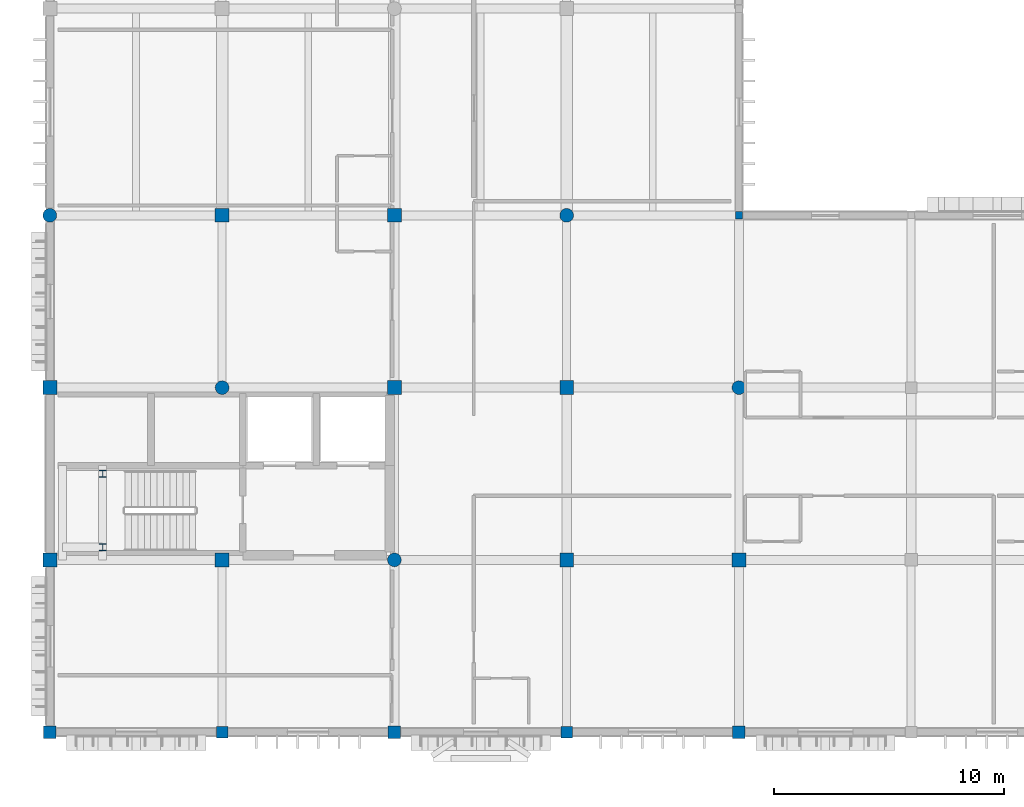
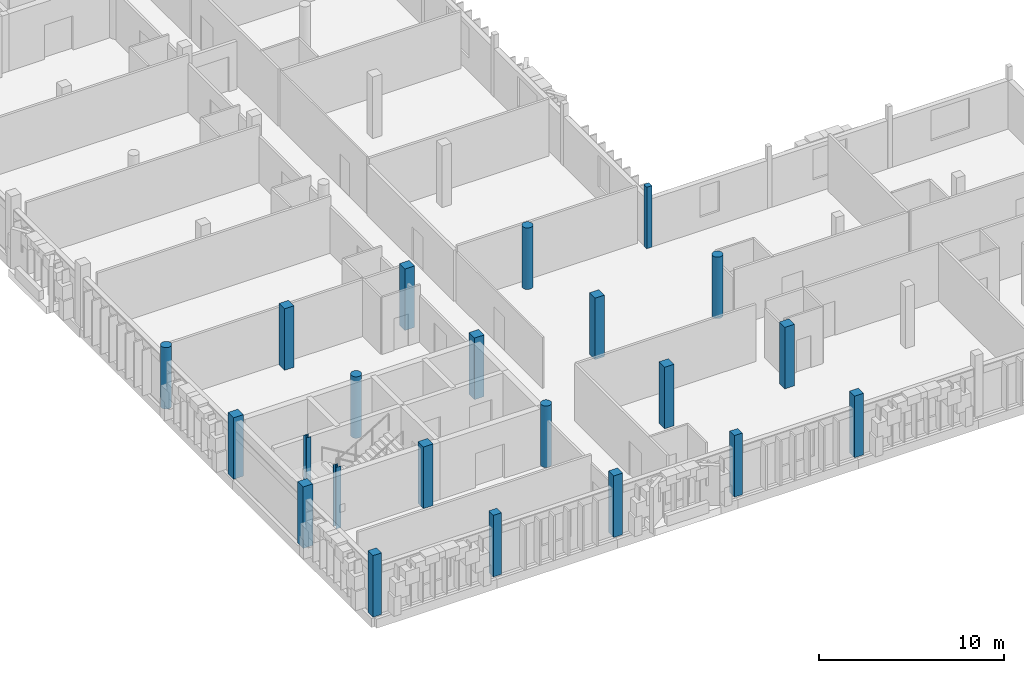
# One storey, part 1 of 33: 22 columns.
"""IFC4 building model written with IfcOpenShell, lengths in metres."""

from ifc_helpers import new_model, si_unit, direction, frame, origin, origin_2d, place, context, subcontext, project, spatial, rectangle, circle, i_section, extrude, material, material_profile, profile_set, type_object, element, save


model = new_model("IFC4")

# Units and contexts
model_context = context("Model", 3, precision=1e-05, world=origin(), true_north=direction((0.0, 1.0)))
body_context = subcontext(model_context, "Body", "Model", "MODEL_VIEW")
ifc_project = project(units=[si_unit("LENGTHUNIT", "METRE"), si_unit("AREAUNIT", "SQUARE_METRE"), si_unit("VOLUMEUNIT", "CUBIC_METRE"), si_unit("PLANEANGLEUNIT", "RADIAN"), si_unit("MASSUNIT", "GRAM", prefix="KILO")], contexts=[model_context])

# Site, building, storey
site_placement = place(None, origin())
site = spatial("IfcSite", under=ifc_project, at=site_placement, CompositionType="ELEMENT")
building_placement = place(site_placement, origin())
building = spatial("IfcBuilding", under=site, at=building_placement, Name="Dalvernix Boulevard General Hospital", CompositionType="ELEMENT")
storey_placement = place(building_placement, frame((0.0, 0.0, 21.89990234375)))
storey = spatial("IfcBuildingStorey", under=building, at=storey_placement, Name="L05", CompositionType="ELEMENT", Elevation=21.89990234375)

# Columns
ifc_material_1 = material(Name="Concrete C40/50", Category="concrete")
ifc_material_profile_1 = material_profile(ifc_material_1, rectangle(XDim=0.60009765625, YDim=0.60009765625, at=origin_2d()), Name="RC 600x600")
ifc_profile_set_1 = profile_set([ifc_material_profile_1], Name="Concrete C40/50")
column_type_1 = type_object("IfcColumnType", Name="COL-C-07-E", PredefinedType="COLUMN", material=ifc_profile_set_1)
for number, where, z_axis, x_axis, name in (
    (1, (0.0, 7.5, 0.0), (0.0, 0.0, 1.0), (1.0, 0.0, 0.0), "L05 column 1B"),
    (2, (0.0, 15.0, 0.0), (0.0, 0.0, 1.0), (1.0, 0.0, 0.0), "L05 column 1C"),
):
    element("IfcColumn", number, at=place(storey_placement, frame(where, z_axis=z_axis, x_axis=x_axis)), inside=storey, type_object=column_type_1, Name=name, PredefinedType="COLUMN", context=body_context, shape_type="SweptSolid", body=[
        extrude(rectangle(XDim=0.60009765625, YDim=0.60009765625, at=origin_2d()), origin(), (0.0, 0.0, 1.0), 4.050048828125),
    ])
ifc_material_profile_2 = material_profile(ifc_material_1, rectangle(XDim=0.60009765625, YDim=0.60009765625, at=origin_2d()), Name="RC 600x600")
ifc_profile_set_2 = profile_set([ifc_material_profile_2], Name="Concrete C40/50")
column_type_2 = type_object("IfcColumnType", Name="COL-C-07-I", PredefinedType="COLUMN", material=ifc_profile_set_2)
for number, where, z_axis, x_axis, name in (
    (3, (7.5, 7.5, 0.0), (0.0, 0.0, 1.0), (1.0, 0.0, 0.0), "L05 column 2B"),
    (4, (7.5, 22.5, 0.0), (0.0, 0.0, 1.0), (1.0, 0.0, 0.0), "L05 column 2D"),
    (5, (15.0, 15.0, 0.0), (0.0, 0.0, 1.0), (1.0, 0.0, 0.0), "L05 column 3C"),
    (6, (15.0, 22.5, 0.0), (0.0, 0.0, 1.0), (1.0, 0.0, 0.0), "L05 column 3D"),
    (7, (22.5, 7.5, 0.0), (0.0, 0.0, 1.0), (1.0, 0.0, 0.0), "L05 column 4B"),
    (8, (22.5, 15.0, 0.0), (0.0, 0.0, 1.0), (1.0, 0.0, 0.0), "L05 column 4C"),
    (9, (30.0, 7.5, 0.0), (0.0, 0.0, 1.0), (1.0, 0.0, 0.0), "L05 column 5B"),
):
    element("IfcColumn", number, at=place(storey_placement, frame(where, z_axis=z_axis, x_axis=x_axis)), inside=storey, type_object=column_type_2, Name=name, PredefinedType="COLUMN", context=body_context, shape_type="SweptSolid", body=[
        extrude(rectangle(XDim=0.60009765625, YDim=0.60009765625, at=origin_2d()), origin(), (0.0, 0.0, 1.0), 4.050048828125),
    ])
ifc_material_profile_3 = material_profile(ifc_material_1, rectangle(XDim=0.550048828125, YDim=0.550048828125, at=origin_2d()), Name="RC 550x550")
ifc_profile_set_3 = profile_set([ifc_material_profile_3], Name="Concrete C40/50")
column_type_3 = type_object("IfcColumnType", Name="COL-C-08-E", PredefinedType="COLUMN", material=ifc_profile_set_3)
for number, where, z_axis, x_axis, name in (
    (10, (0.0, 0.0, 0.0), (0.0, 0.0, 1.0), (1.0, 0.0, 0.0), "L05 column 1A"),
    (11, (15.0, 0.0, 0.0), (0.0, 0.0, 1.0), (1.0, 0.0, 0.0), "L05 column 3A"),
    (12, (30.0, 0.0, 0.0), (0.0, 0.0, 1.0), (1.0, 0.0, 0.0), "L05 column 5A"),
):
    element("IfcColumn", number, at=place(storey_placement, frame(where, z_axis=z_axis, x_axis=x_axis)), inside=storey, type_object=column_type_3, Name=name, PredefinedType="COLUMN", context=body_context, shape_type="SweptSolid", body=[
        extrude(rectangle(XDim=0.550048828125, YDim=0.550048828125, at=origin_2d()), origin(), (0.0, 0.0, 1.0), 4.050048828125),
    ])
ifc_material_profile_4 = material_profile(ifc_material_1, rectangle(XDim=0.5, YDim=0.5, at=origin_2d()), Name="RC 500x500")
ifc_profile_set_4 = profile_set([ifc_material_profile_4], Name="Concrete C40/50")
column_type_4 = type_object("IfcColumnType", Name="COL-C-09-E", PredefinedType="COLUMN", material=ifc_profile_set_4)
for number, where, z_axis, x_axis, name in (
    (13, (7.5, 0.0, 0.0), (0.0, 0.0, 1.0), (1.0, 0.0, 0.0), "L05 column 2A"),
    (14, (22.5, 0.0, 0.0), (0.0, 0.0, 1.0), (1.0, 0.0, 0.0), "L05 column 4A"),
):
    element("IfcColumn", number, at=place(storey_placement, frame(where, z_axis=z_axis, x_axis=x_axis)), inside=storey, type_object=column_type_4, Name=name, PredefinedType="COLUMN", context=body_context, shape_type="SweptSolid", body=[
        extrude(rectangle(XDim=0.5, YDim=0.5, at=origin_2d()), origin(), (0.0, 0.0, 1.0), 4.050048828125),
    ])
ifc_material_profile_5 = material_profile(ifc_material_1, circle(Radius=0.300048828125, at=origin_2d()), Name="RC D600")
ifc_profile_set_5 = profile_set([ifc_material_profile_5], Name="Concrete C40/50")
column_type_5 = type_object("IfcColumnType", Name="COL-C-15-E", PredefinedType="COLUMN", material=ifc_profile_set_5)
column_1_placement = place(storey_placement, frame((0.0, 22.5, 0.0), z_axis=(0.0, 0.0, 1.0), x_axis=(1.0, 0.0, 0.0)))
element("IfcColumn", 15, at=column_1_placement, inside=storey, type_object=column_type_5, Name="L05 column 1D", PredefinedType="COLUMN", context=body_context, shape_type="SweptSolid", body=[
    extrude(circle(Radius=0.300048828125, at=origin_2d()), origin(), (0.0, 0.0, 1.0), 4.050048828125),
])
ifc_material_profile_6 = material_profile(ifc_material_1, circle(Radius=0.300048828125, at=origin_2d()), Name="RC D600")
ifc_profile_set_6 = profile_set([ifc_material_profile_6], Name="Concrete C40/50")
column_type_6 = type_object("IfcColumnType", Name="COL-C-15-I", PredefinedType="COLUMN", material=ifc_profile_set_6)
for number, where, z_axis, x_axis, name in (
    (16, (7.5, 15.0, 0.0), (0.0, 0.0, 1.0), (1.0, 0.0, 0.0), "L05 column 2C"),
    (17, (15.0, 7.5, 0.0), (0.0, 0.0, 1.0), (1.0, 0.0, 0.0), "L05 column 3B"),
    (18, (22.5, 22.5, 0.0), (0.0, 0.0, 1.0), (1.0, 0.0, 0.0), "L05 column 4D"),
    (19, (30.0, 15.0, 0.0), (0.0, 0.0, 1.0), (1.0, 0.0, 0.0), "L05 column 5C"),
):
    element("IfcColumn", number, at=place(storey_placement, frame(where, z_axis=z_axis, x_axis=x_axis)), inside=storey, type_object=column_type_6, Name=name, PredefinedType="COLUMN", context=body_context, shape_type="SweptSolid", body=[
        extrude(circle(Radius=0.300048828125, at=origin_2d()), origin(), (0.0, 0.0, 1.0), 4.050048828125),
    ])
ifc_material_2 = material(Name="Steel S355", Category="steel")
ifc_material_profile_7 = material_profile(ifc_material_2, i_section(OverallWidth=0.300048828125, OverallDepth=0.300048828125, WebThickness=0.010986328125, FlangeThickness=0.01904296875, FilletRadius=0.027099609375, at=origin_2d()), Name="HEB 300")
ifc_profile_set_7 = profile_set([ifc_material_profile_7], Name="Steel S355")
column_type_7 = type_object("IfcColumnType", Name="COL-C-18", PredefinedType="COLUMN", material=ifc_profile_set_7)
for number, where, z_axis, x_axis, name in (
    (20, (2.300048828125, 8.050048828125, 0.0), (0.0, 0.0, 1.0), (1.0, 0.0, 0.0), "L05 Core C1 stair landing column 1"),
    (21, (2.300048828125, 11.25, 0.0), (0.0, 0.0, 1.0), (1.0, 0.0, 0.0), "L05 Core C1 stair landing column 2"),
):
    element("IfcColumn", number, at=place(storey_placement, frame(where, z_axis=z_axis, x_axis=x_axis)), inside=storey, type_object=column_type_7, Name=name, PredefinedType="COLUMN", context=body_context, shape_type="SweptSolid", body=[
        extrude(i_section(OverallWidth=0.300048828125, OverallDepth=0.300048828125, WebThickness=0.010986328125, FlangeThickness=0.01904296875, FilletRadius=0.027099609375, at=origin_2d()), origin(), (0.0, 0.0, 1.0), 4.050048828125),
    ])
ifc_material_3 = material(Name="Glulam GL28h", Category="wood")
ifc_material_profile_8 = material_profile(ifc_material_3, rectangle(XDim=0.320068359375, YDim=0.320068359375, at=origin_2d()), Name="GL28h 320x320")
ifc_profile_set_8 = profile_set([ifc_material_profile_8], Name="Glulam GL28h")
column_type_8 = type_object("IfcColumnType", Name="COL-C-20-E", PredefinedType="COLUMN", material=ifc_profile_set_8)
column_2_placement = place(storey_placement, frame((30.0, 22.5, 0.0), z_axis=(0.0, 0.0, 1.0), x_axis=(1.0, 0.0, 0.0)))
element("IfcColumn", 22, at=column_2_placement, inside=storey, type_object=column_type_8, Name="L05 column 5D", PredefinedType="COLUMN", context=body_context, shape_type="SweptSolid", body=[
    extrude(rectangle(XDim=0.320068359375, YDim=0.320068359375, at=origin_2d()), origin(), (0.0, 0.0, 1.0), 4.050048828125),
])

save(model, "model.ifc")
